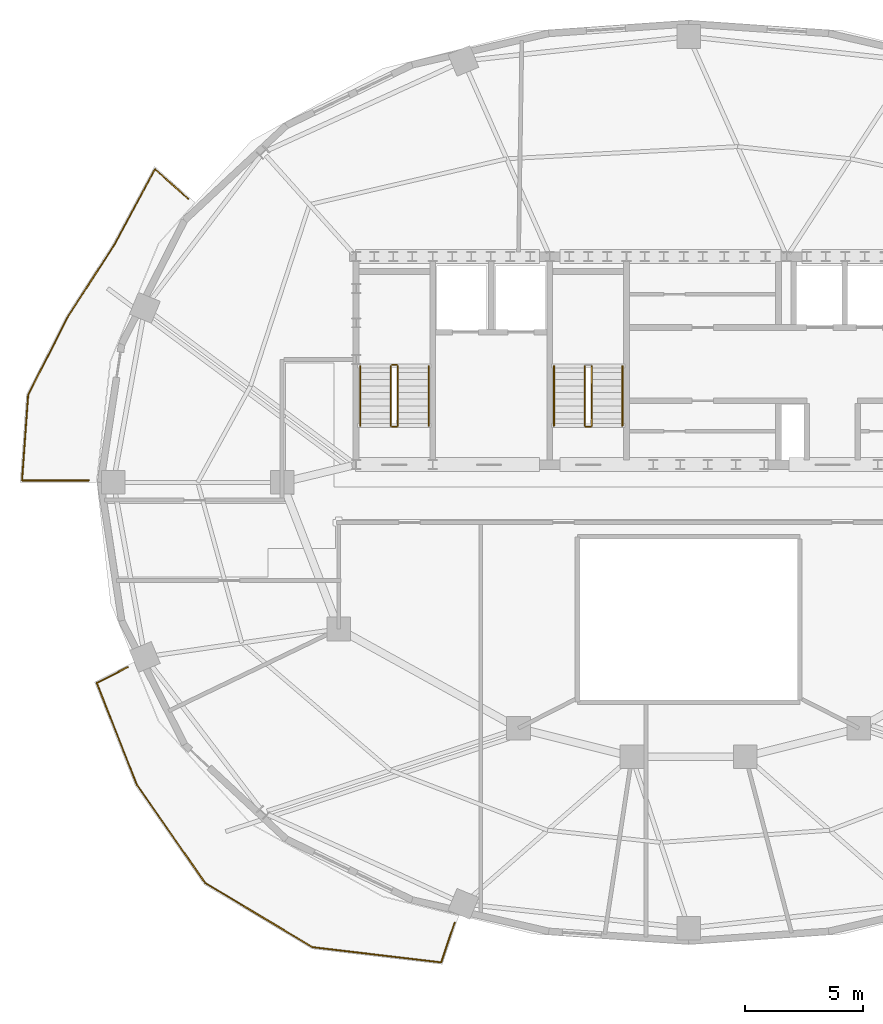
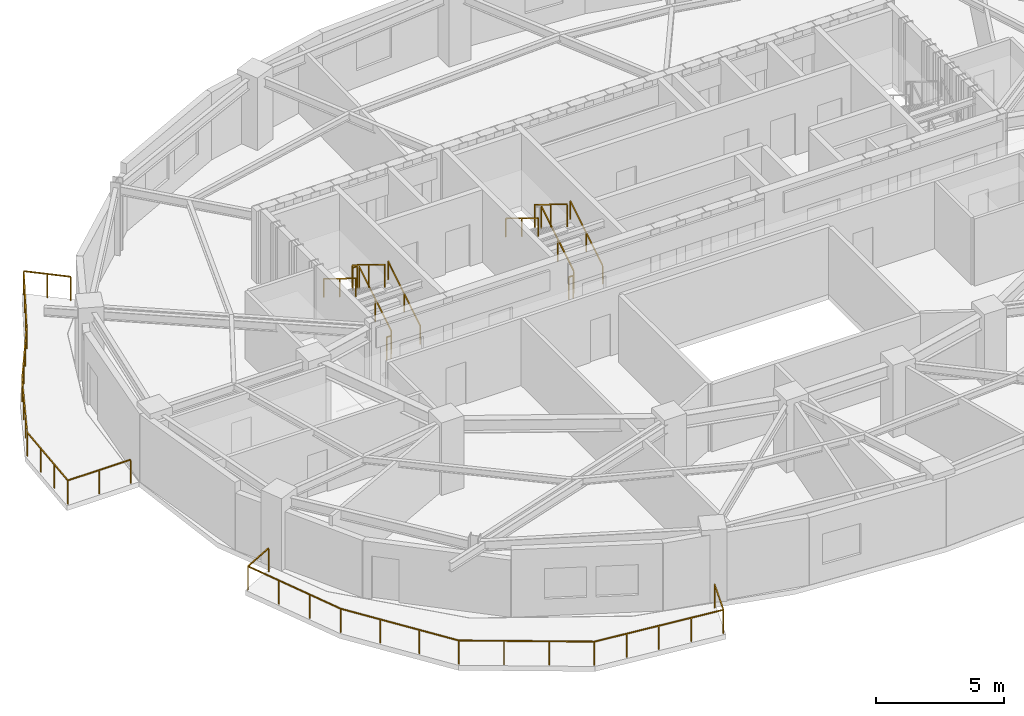
# One storey, part 7 of 10: 13 railings.
"""IFC4 building model written with IfcOpenShell, lengths in metres."""

from ifc_helpers import new_model, si_unit, direction, frame, origin, origin_2d, place, context, subcontext, project, spatial, rectangle, extrude, material, type_object, element, save


model = new_model("IFC4")

# Units and contexts
model_context = context("Model", 3, precision=1e-05, world=origin(), true_north=direction((0.0, 1.0)))
body_context = subcontext(model_context, "Body", "Model", "MODEL_VIEW")
ifc_project = project(units=[si_unit("LENGTHUNIT", "METRE"), si_unit("AREAUNIT", "SQUARE_METRE"), si_unit("VOLUMEUNIT", "CUBIC_METRE"), si_unit("PLANEANGLEUNIT", "RADIAN"), si_unit("MASSUNIT", "GRAM", prefix="KILO")], contexts=[model_context])

# Site, building, storey
site_placement = place(None, origin())
site = spatial("IfcSite", under=ifc_project, at=site_placement, CompositionType="ELEMENT")
building_placement = place(site_placement, origin())
building = spatial("IfcBuilding", under=site, at=building_placement, Name="Haldorwick Loom Tower", CompositionType="ELEMENT")
storey_placement = place(building_placement, frame((0.0, 0.0, 255.75)))
storey = spatial("IfcBuildingStorey", under=building, at=storey_placement, Name="L69", CompositionType="ELEMENT", Elevation=255.75)

# Railings
ifc_material_1 = material(Name="Galvanized Steel CSA G40.21 350W", Category="steel")
railing_type_1 = type_object("IfcRailingType", Name="ARC-RLG-BAL115", PredefinedType="BALUSTRADE", material=ifc_material_1)
railing_1_placement = place(storey_placement, frame((26.09619140625, 7.369873046875, 0.0)))
element("IfcRailing", 1, at=railing_1_placement, inside=storey, type_object=railing_type_1, Name="L69 Outdoor Terrace Guardrail SLB-L69-BAL_SW-1", PredefinedType="BALUSTRADE", context=body_context, shape_type="SweptSolid", body=[
    extrude(rectangle(XDim=0.048095703125, YDim=0.048095703125, at=origin_2d()), frame((0.0, 0.0, 1.1259765625), z_axis=(-0.320860946785, -0.947126313027, 0.0), x_axis=(0.947126313027, -0.320860946785, 0.0)), (0.0, 0.0, 1.0), 1.76904296875),
    extrude(rectangle(XDim=0.048095703125, YDim=0.048095703125, at=origin_2d()), frame((-0.567626953125, -1.675537109375, 1.1259765625), z_axis=(-0.993094464477, 0.117317452346, 0.0), x_axis=(-0.117317452346, -0.993094464477, 0.0)), (0.0, 0.0, 1.0), 5.47314453125),
    extrude(rectangle(XDim=0.048095703125, YDim=0.048095703125, at=origin_2d()), frame((-6.0029296875, -1.033447265625, 1.1259765625), z_axis=(-0.858652256334, 0.512558584644, 0.0), x_axis=(-0.512558584644, -0.858652256334, 0.0)), (0.0, 0.0, 1.0), 5.28564453125),
    extrude(rectangle(XDim=0.048095703125, YDim=0.048095703125, at=origin_2d()), frame((-10.54150390625, 1.67578125, 1.1259765625), z_axis=(-0.571702444027, 0.820461038376, 0.0), x_axis=(-0.820461038376, -0.571702444027, 0.0)), (0.0, 0.0, 1.0), 5.077880859375),
    extrude(rectangle(XDim=0.048095703125, YDim=0.048095703125, at=origin_2d()), frame((-13.444580078125, 5.842041015625, 1.1259765625), z_axis=(-0.364986195899, 0.931012930524, 0.0), x_axis=(-0.931012930524, -0.364986195899, 0.0)), (0.0, 0.0, 1.0), 4.626708984375),
    extrude(rectangle(XDim=0.048095703125, YDim=0.048095703125, at=origin_2d()), frame((-15.13330078125, 10.149658203125, 1.1259765625), z_axis=(0.892217486271, 0.451605975594, 0.0), x_axis=(-0.451605975594, 0.892217486271, 0.0)), (0.0, 0.0, 1.0), 1.465576171875),
    extrude(rectangle(XDim=0.0419921875, YDim=0.0419921875, at=origin_2d()), origin(), (0.0, 0.0, 1.0), 1.101806640625),
    extrude(rectangle(XDim=0.0419921875, YDim=0.0419921875, at=origin_2d()), frame((-0.567626953125, -1.675537109375, 0.0)), (0.0, 0.0, 1.0), 1.101806640625),
    extrude(rectangle(XDim=0.0419921875, YDim=0.0419921875, at=origin_2d()), frame((-1.926513671875, -1.51513671875, 0.0)), (0.0, 0.0, 1.0), 1.101806640625),
    extrude(rectangle(XDim=0.0419921875, YDim=0.0419921875, at=origin_2d()), frame((-3.28515625, -1.3544921875, 0.0)), (0.0, 0.0, 1.0), 1.101806640625),
    extrude(rectangle(XDim=0.0419921875, YDim=0.0419921875, at=origin_2d()), frame((-4.64404296875, -1.19384765625, 0.0)), (0.0, 0.0, 1.0), 1.101806640625),
    extrude(rectangle(XDim=0.0419921875, YDim=0.0419921875, at=origin_2d()), frame((-6.0029296875, -1.033447265625, 0.0)), (0.0, 0.0, 1.0), 1.101806640625),
    extrude(rectangle(XDim=0.0419921875, YDim=0.0419921875, at=origin_2d()), frame((-7.515869140625, -0.13037109375, 0.0)), (0.0, 0.0, 1.0), 1.101806640625),
    extrude(rectangle(XDim=0.0419921875, YDim=0.0419921875, at=origin_2d()), frame((-9.028564453125, 0.772705078125, 0.0)), (0.0, 0.0, 1.0), 1.101806640625),
    extrude(rectangle(XDim=0.0419921875, YDim=0.0419921875, at=origin_2d()), frame((-10.54150390625, 1.67578125, 0.0)), (0.0, 0.0, 1.0), 1.101806640625),
    extrude(rectangle(XDim=0.0419921875, YDim=0.0419921875, at=origin_2d()), frame((-11.50927734375, 3.064453125, 0.0)), (0.0, 0.0, 1.0), 1.101806640625),
    extrude(rectangle(XDim=0.0419921875, YDim=0.0419921875, at=origin_2d()), frame((-12.476806640625, 4.453369140625, 0.0)), (0.0, 0.0, 1.0), 1.101806640625),
    extrude(rectangle(XDim=0.0419921875, YDim=0.0419921875, at=origin_2d()), frame((-13.444580078125, 5.842041015625, 0.0)), (0.0, 0.0, 1.0), 1.101806640625),
    extrude(rectangle(XDim=0.0419921875, YDim=0.0419921875, at=origin_2d()), frame((-14.007568359375, 7.27783203125, 0.0)), (0.0, 0.0, 1.0), 1.101806640625),
    extrude(rectangle(XDim=0.0419921875, YDim=0.0419921875, at=origin_2d()), frame((-14.5703125, 8.7138671875, 0.0)), (0.0, 0.0, 1.0), 1.101806640625),
    extrude(rectangle(XDim=0.0419921875, YDim=0.0419921875, at=origin_2d()), frame((-15.13330078125, 10.149658203125, 0.0)), (0.0, 0.0, 1.0), 1.101806640625),
    extrude(rectangle(XDim=0.0419921875, YDim=0.0419921875, at=origin_2d()), frame((-13.82568359375, 10.8115234375, 0.0)), (0.0, 0.0, 1.0), 1.101806640625),
])
railing_2_placement = place(storey_placement, frame((10.6201171875, 26.080078125, 0.0)))
element("IfcRailing", 2, at=railing_2_placement, inside=storey, type_object=railing_type_1, Name="L69 Outdoor Terrace Guardrail SLB-L69-BAL_WNW-1", PredefinedType="BALUSTRADE", context=body_context, shape_type="SweptSolid", body=[
    extrude(rectangle(XDim=0.048095703125, YDim=0.048095703125, at=origin_2d()), frame((0.0, 0.0, 1.1259765625), z_axis=(-1.0, 0.0, 0.0), x_axis=(0.0, -1.0, 0.0)), (0.0, 0.0, 1.0), 2.821044921875),
    extrude(rectangle(XDim=0.048095703125, YDim=0.048095703125, at=origin_2d()), frame((-2.821044921875, 0.0, 1.1259765625), z_axis=(0.071567614101, 0.997435750618, 0.0), x_axis=(-0.997435750618, 0.071567614101, 0.0)), (0.0, 0.0, 1.0), 3.626220703125),
    extrude(rectangle(XDim=0.048095703125, YDim=0.048095703125, at=origin_2d()), frame((-2.5615234375, 3.616943359375, 1.1259765625), z_axis=(0.452144789899, 0.891944554873, 0.0), x_axis=(-0.891944554873, 0.452144789899, 0.0)), (0.0, 0.0, 1.0), 3.6982421875),
    extrude(rectangle(XDim=0.048095703125, YDim=0.048095703125, at=origin_2d()), frame((-0.889404296875, 6.91552734375, 1.1259765625), z_axis=(0.5425065035, 0.840051601784, 0.0), x_axis=(-0.840051601784, 0.5425065035, 0.0)), (0.0, 0.0, 1.0), 3.602783203125),
    extrude(rectangle(XDim=0.048095703125, YDim=0.048095703125, at=origin_2d()), frame((1.065185546875, 9.942138671875, 1.1259765625), z_axis=(0.536875492193, 0.843661487732, 0.0), x_axis=(-0.843661487732, 0.536875492193, 0.0)), (0.0, 0.0, 1.0), 0.00634765625),
    extrude(rectangle(XDim=0.048095703125, YDim=0.048095703125, at=origin_2d()), frame((1.068603515625, 9.947509765625, 1.1259765625), z_axis=(0.474672609217, 0.880162436178, 0.0), x_axis=(-0.880162436178, 0.474672609217, 0.0)), (0.0, 0.0, 1.0), 3.659423828125),
    extrude(rectangle(XDim=0.048095703125, YDim=0.048095703125, at=origin_2d()), frame((2.8056640625, 13.16845703125, 1.1259765625), z_axis=(0.745988621114, -0.665958690287, 0.0), x_axis=(0.665958690287, 0.745988621114, 0.0)), (0.0, 0.0, 1.0), 1.8701171875),
    extrude(rectangle(XDim=0.0419921875, YDim=0.0419921875, at=origin_2d()), origin(), (0.0, 0.0, 1.0), 1.101806640625),
    extrude(rectangle(XDim=0.0419921875, YDim=0.0419921875, at=origin_2d()), frame((-1.41064453125, 0.0, 0.0)), (0.0, 0.0, 1.0), 1.101806640625),
    extrude(rectangle(XDim=0.0419921875, YDim=0.0419921875, at=origin_2d()), frame((-2.821044921875, 0.0, 0.0)), (0.0, 0.0, 1.0), 1.101806640625),
    extrude(rectangle(XDim=0.0419921875, YDim=0.0419921875, at=origin_2d()), frame((-2.734619140625, 1.20556640625, 0.0)), (0.0, 0.0, 1.0), 1.101806640625),
    extrude(rectangle(XDim=0.0419921875, YDim=0.0419921875, at=origin_2d()), frame((-2.64794921875, 2.411376953125, 0.0)), (0.0, 0.0, 1.0), 1.101806640625),
    extrude(rectangle(XDim=0.0419921875, YDim=0.0419921875, at=origin_2d()), frame((-2.5615234375, 3.616943359375, 0.0)), (0.0, 0.0, 1.0), 1.101806640625),
    extrude(rectangle(XDim=0.0419921875, YDim=0.0419921875, at=origin_2d()), frame((-2.004150390625, 4.716552734375, 0.0)), (0.0, 0.0, 1.0), 1.101806640625),
    extrude(rectangle(XDim=0.0419921875, YDim=0.0419921875, at=origin_2d()), frame((-1.44677734375, 5.81591796875, 0.0)), (0.0, 0.0, 1.0), 1.101806640625),
    extrude(rectangle(XDim=0.0419921875, YDim=0.0419921875, at=origin_2d()), frame((-0.889404296875, 6.91552734375, 0.0)), (0.0, 0.0, 1.0), 1.101806640625),
    extrude(rectangle(XDim=0.0419921875, YDim=0.0419921875, at=origin_2d()), frame((-0.23779296875, 7.92431640625, 0.0)), (0.0, 0.0, 1.0), 1.101806640625),
    extrude(rectangle(XDim=0.0419921875, YDim=0.0419921875, at=origin_2d()), frame((0.41357421875, 8.933349609375, 0.0)), (0.0, 0.0, 1.0), 1.101806640625),
    extrude(rectangle(XDim=0.0419921875, YDim=0.0419921875, at=origin_2d()), frame((1.065185546875, 9.942138671875, 0.0)), (0.0, 0.0, 1.0), 1.101806640625),
    extrude(rectangle(XDim=0.0419921875, YDim=0.0419921875, at=origin_2d()), frame((1.647705078125, 11.021240234375, 0.0)), (0.0, 0.0, 1.0), 1.101806640625),
    extrude(rectangle(XDim=0.0419921875, YDim=0.0419921875, at=origin_2d()), frame((2.2265625, 12.0947265625, 0.0)), (0.0, 0.0, 1.0), 1.101806640625),
    extrude(rectangle(XDim=0.0419921875, YDim=0.0419921875, at=origin_2d()), frame((2.8056640625, 13.16845703125, 0.0)), (0.0, 0.0, 1.0), 1.101806640625),
    extrude(rectangle(XDim=0.0419921875, YDim=0.0419921875, at=origin_2d()), frame((3.503173828125, 12.5458984375, 0.0)), (0.0, 0.0, 1.0), 1.101806640625),
    extrude(rectangle(XDim=0.0419921875, YDim=0.0419921875, at=origin_2d()), frame((4.20068359375, 11.923095703125, 0.0)), (0.0, 0.0, 1.0), 1.101806640625),
])
ifc_material_2 = material(Name="Steel CSA G40.21 350W", Category="steel")
railing_type_2 = type_object("IfcRailingType", Name="ARC-RLG-GUARD112", PredefinedType="GUARDRAIL", material=ifc_material_2)
railing_3_placement = place(storey_placement, frame((23.699951171875, 28.39990234375, 0.172607421875)))
element("IfcRailing", 3, at=railing_3_placement, inside=storey, type_object=railing_type_2, Name="L69 ST-01 stair guard 1", PredefinedType="GUARDRAIL", context=body_context, shape_type="SweptSolid", body=[
    extrude(rectangle(XDim=0.048095703125, YDim=0.048095703125, at=origin_2d()), frame((0.0, 0.0, 1.076171875), z_axis=(0.0, 0.851400495292, 0.524516154772), x_axis=(-1.0, 0.0, 0.0)), (0.0, 0.0, 1.0), 2.9599609375),
    extrude(rectangle(XDim=0.0419921875, YDim=0.0419921875, at=origin_2d()), origin(), (0.0, 0.0, 1.0), 1.052001953125),
    extrude(rectangle(XDim=0.0419921875, YDim=0.0419921875, at=origin_2d()), frame((0.0, 1.260009765625, 0.7763671875)), (0.0, 0.0, 1.0), 1.052001953125),
    extrude(rectangle(XDim=0.0419921875, YDim=0.0419921875, at=origin_2d()), frame((0.0, 2.52001953125, 1.552490234375)), (0.0, 0.0, 1.0), 1.052001953125),
])
railing_4_placement = place(storey_placement, frame((23.64990234375, 30.969970703125, 1.72509765625)))
element("IfcRailing", 4, at=railing_4_placement, inside=storey, type_object=railing_type_2, Name="L69 ST-01 stair guard 2", PredefinedType="GUARDRAIL", context=body_context, shape_type="SweptSolid", body=[
    extrude(rectangle(XDim=0.048095703125, YDim=0.048095703125, at=origin_2d()), frame((0.0, 0.0, 1.076171875), z_axis=(-1.0, 0.0, 0.0), x_axis=(0.0, -1.0, 0.0)), (0.0, 0.0, 1.0), 0.199951171875),
    extrude(rectangle(XDim=0.0419921875, YDim=0.0419921875, at=origin_2d()), origin(), (0.0, 0.0, 1.0), 1.052001953125),
    extrude(rectangle(XDim=0.0419921875, YDim=0.0419921875, at=origin_2d()), frame((-0.199951171875, 0.0, 0.0)), (0.0, 0.0, 1.0), 1.052001953125),
])
railing_5_placement = place(storey_placement, frame((23.39990234375, 30.919921875, 1.8974609375)))
element("IfcRailing", 5, at=railing_5_placement, inside=storey, type_object=railing_type_2, Name="L69 ST-01 stair guard 3", PredefinedType="GUARDRAIL", context=body_context, shape_type="SweptSolid", body=[
    extrude(rectangle(XDim=0.048095703125, YDim=0.048095703125, at=origin_2d()), frame((0.0, 0.0, 1.076171875), z_axis=(0.0, -0.851400495292, 0.524516154772), x_axis=(1.0, 0.0, 0.0)), (0.0, 0.0, 1.0), 2.9599609375),
    extrude(rectangle(XDim=0.0419921875, YDim=0.0419921875, at=origin_2d()), origin(), (0.0, 0.0, 1.0), 1.052001953125),
    extrude(rectangle(XDim=0.0419921875, YDim=0.0419921875, at=origin_2d()), frame((0.0, -1.260009765625, 0.7763671875)), (0.0, 0.0, 1.0), 1.052001953125),
    extrude(rectangle(XDim=0.0419921875, YDim=0.0419921875, at=origin_2d()), frame((0.0, -2.52001953125, 1.552490234375)), (0.0, 0.0, 1.0), 1.052001953125),
])
railing_6_placement = place(storey_placement, frame((23.64990234375, 28.35009765625, 0.0)))
element("IfcRailing", 6, at=railing_6_placement, inside=storey, type_object=railing_type_2, Name="L69 ST-01 stair guard 4", PredefinedType="GUARDRAIL", context=body_context, shape_type="SweptSolid", body=[
    extrude(rectangle(XDim=0.048095703125, YDim=0.048095703125, at=origin_2d()), frame((0.0, 0.0, 1.076171875), z_axis=(-1.0, 0.0, 0.0), x_axis=(0.0, -1.0, 0.0)), (0.0, 0.0, 1.0), 0.199951171875),
    extrude(rectangle(XDim=0.0419921875, YDim=0.0419921875, at=origin_2d()), origin(), (0.0, 0.0, 1.0), 1.052001953125),
    extrude(rectangle(XDim=0.0419921875, YDim=0.0419921875, at=origin_2d()), frame((-0.199951171875, 0.0, 0.0)), (0.0, 0.0, 1.0), 1.052001953125),
])
railing_7_placement = place(storey_placement, frame((31.89990234375, 28.39990234375, 0.172607421875)))
element("IfcRailing", 7, at=railing_7_placement, inside=storey, type_object=railing_type_2, Name="L69 ST-03 stair guard 1", PredefinedType="GUARDRAIL", context=body_context, shape_type="SweptSolid", body=[
    extrude(rectangle(XDim=0.048095703125, YDim=0.048095703125, at=origin_2d()), frame((0.0, 0.0, 1.076171875), z_axis=(0.0, 0.851400495292, 0.524516154772), x_axis=(-1.0, 0.0, 0.0)), (0.0, 0.0, 1.0), 2.9599609375),
    extrude(rectangle(XDim=0.0419921875, YDim=0.0419921875, at=origin_2d()), origin(), (0.0, 0.0, 1.0), 1.052001953125),
    extrude(rectangle(XDim=0.0419921875, YDim=0.0419921875, at=origin_2d()), frame((0.0, 1.260009765625, 0.7763671875)), (0.0, 0.0, 1.0), 1.052001953125),
    extrude(rectangle(XDim=0.0419921875, YDim=0.0419921875, at=origin_2d()), frame((0.0, 2.52001953125, 1.552490234375)), (0.0, 0.0, 1.0), 1.052001953125),
])
railing_8_placement = place(storey_placement, frame((31.60009765625, 30.919921875, 1.8974609375)))
element("IfcRailing", 8, at=railing_8_placement, inside=storey, type_object=railing_type_2, Name="L69 ST-03 stair guard 3", PredefinedType="GUARDRAIL", context=body_context, shape_type="SweptSolid", body=[
    extrude(rectangle(XDim=0.048095703125, YDim=0.048095703125, at=origin_2d()), frame((0.0, 0.0, 1.076171875), z_axis=(0.0, -0.851400495292, 0.524516154772), x_axis=(1.0, 0.0, 0.0)), (0.0, 0.0, 1.0), 2.9599609375),
    extrude(rectangle(XDim=0.0419921875, YDim=0.0419921875, at=origin_2d()), origin(), (0.0, 0.0, 1.0), 1.052001953125),
    extrude(rectangle(XDim=0.0419921875, YDim=0.0419921875, at=origin_2d()), frame((0.0, -1.260009765625, 0.7763671875)), (0.0, 0.0, 1.0), 1.052001953125),
    extrude(rectangle(XDim=0.0419921875, YDim=0.0419921875, at=origin_2d()), frame((0.0, -2.52001953125, 1.552490234375)), (0.0, 0.0, 1.0), 1.052001953125),
])
railing_9_placement = place(storey_placement, frame((31.85009765625, 28.35009765625, 0.0)))
element("IfcRailing", 9, at=railing_9_placement, inside=storey, type_object=railing_type_2, Name="L69 ST-03 stair guard 4", PredefinedType="GUARDRAIL", context=body_context, shape_type="SweptSolid", body=[
    extrude(rectangle(XDim=0.048095703125, YDim=0.048095703125, at=origin_2d()), frame((0.0, 0.0, 1.076171875), z_axis=(-1.0, 0.0, 0.0), x_axis=(0.0, -1.0, 0.0)), (0.0, 0.0, 1.0), 0.2001953125),
    extrude(rectangle(XDim=0.0419921875, YDim=0.0419921875, at=origin_2d()), origin(), (0.0, 0.0, 1.0), 1.052001953125),
    extrude(rectangle(XDim=0.0419921875, YDim=0.0419921875, at=origin_2d()), frame((-0.2001953125, 0.0, 0.0)), (0.0, 0.0, 1.0), 1.052001953125),
])
railing_type_3 = type_object("IfcRailingType", Name="ARC-RLG-HAND092", PredefinedType="HANDRAIL", material=ifc_material_2)
railing_10_placement = place(storey_placement, frame((25.0, 28.39990234375, 0.172607421875)))
element("IfcRailing", 10, at=railing_10_placement, inside=storey, type_object=railing_type_3, Name="L69 ST-01 stair handrail 1", PredefinedType="HANDRAIL", context=body_context, shape_type="SweptSolid", body=[
    extrude(rectangle(XDim=0.048095703125, YDim=0.048095703125, at=origin_2d()), frame((0.0, 0.0, 0.8759765625), z_axis=(0.0, 0.851400495292, 0.524516154772), x_axis=(-1.0, 0.0, 0.0)), (0.0, 0.0, 1.0), 2.9599609375),
    extrude(rectangle(XDim=0.0419921875, YDim=0.0419921875, at=origin_2d()), origin(), (0.0, 0.0, 1.0), 0.851806640625),
    extrude(rectangle(XDim=0.0419921875, YDim=0.0419921875, at=origin_2d()), frame((0.0, 1.260009765625, 0.7763671875)), (0.0, 0.0, 1.0), 0.851806640625),
    extrude(rectangle(XDim=0.0419921875, YDim=0.0419921875, at=origin_2d()), frame((0.0, 2.52001953125, 1.552490234375)), (0.0, 0.0, 1.0), 0.851806640625),
])
railing_11_placement = place(storey_placement, frame((22.10009765625, 30.919921875, 1.8974609375)))
element("IfcRailing", 11, at=railing_11_placement, inside=storey, type_object=railing_type_3, Name="L69 ST-01 stair handrail 2", PredefinedType="HANDRAIL", context=body_context, shape_type="SweptSolid", body=[
    extrude(rectangle(XDim=0.048095703125, YDim=0.048095703125, at=origin_2d()), frame((0.0, 0.0, 0.8759765625), z_axis=(0.0, -0.851400495292, 0.524516154772), x_axis=(1.0, 0.0, 0.0)), (0.0, 0.0, 1.0), 2.9599609375),
    extrude(rectangle(XDim=0.0419921875, YDim=0.0419921875, at=origin_2d()), origin(), (0.0, 0.0, 1.0), 0.851806640625),
    extrude(rectangle(XDim=0.0419921875, YDim=0.0419921875, at=origin_2d()), frame((0.0, -1.260009765625, 0.7763671875)), (0.0, 0.0, 1.0), 0.851806640625),
    extrude(rectangle(XDim=0.0419921875, YDim=0.0419921875, at=origin_2d()), frame((0.0, -2.52001953125, 1.552490234375)), (0.0, 0.0, 1.0), 0.851806640625),
])
railing_12_placement = place(storey_placement, frame((33.199951171875, 28.39990234375, 0.172607421875)))
element("IfcRailing", 12, at=railing_12_placement, inside=storey, type_object=railing_type_3, Name="L69 ST-03 stair handrail 1", PredefinedType="HANDRAIL", context=body_context, shape_type="SweptSolid", body=[
    extrude(rectangle(XDim=0.048095703125, YDim=0.048095703125, at=origin_2d()), frame((0.0, 0.0, 0.8759765625), z_axis=(0.0, 0.851400495292, 0.524516154772), x_axis=(-1.0, 0.0, 0.0)), (0.0, 0.0, 1.0), 2.9599609375),
    extrude(rectangle(XDim=0.0419921875, YDim=0.0419921875, at=origin_2d()), origin(), (0.0, 0.0, 1.0), 0.851806640625),
    extrude(rectangle(XDim=0.0419921875, YDim=0.0419921875, at=origin_2d()), frame((0.0, 1.260009765625, 0.7763671875)), (0.0, 0.0, 1.0), 0.851806640625),
    extrude(rectangle(XDim=0.0419921875, YDim=0.0419921875, at=origin_2d()), frame((0.0, 2.52001953125, 1.552490234375)), (0.0, 0.0, 1.0), 0.851806640625),
])
railing_13_placement = place(storey_placement, frame((30.300048828125, 30.919921875, 1.8974609375)))
element("IfcRailing", 13, at=railing_13_placement, inside=storey, type_object=railing_type_3, Name="L69 ST-03 stair handrail 2", PredefinedType="HANDRAIL", context=body_context, shape_type="SweptSolid", body=[
    extrude(rectangle(XDim=0.048095703125, YDim=0.048095703125, at=origin_2d()), frame((0.0, 0.0, 0.8759765625), z_axis=(0.0, -0.851400495292, 0.524516154772), x_axis=(1.0, 0.0, 0.0)), (0.0, 0.0, 1.0), 2.9599609375),
    extrude(rectangle(XDim=0.0419921875, YDim=0.0419921875, at=origin_2d()), origin(), (0.0, 0.0, 1.0), 0.851806640625),
    extrude(rectangle(XDim=0.0419921875, YDim=0.0419921875, at=origin_2d()), frame((0.0, -1.260009765625, 0.7763671875)), (0.0, 0.0, 1.0), 0.851806640625),
    extrude(rectangle(XDim=0.0419921875, YDim=0.0419921875, at=origin_2d()), frame((0.0, -2.52001953125, 1.552490234375)), (0.0, 0.0, 1.0), 0.851806640625),
])

save(model, "model.ifc")
